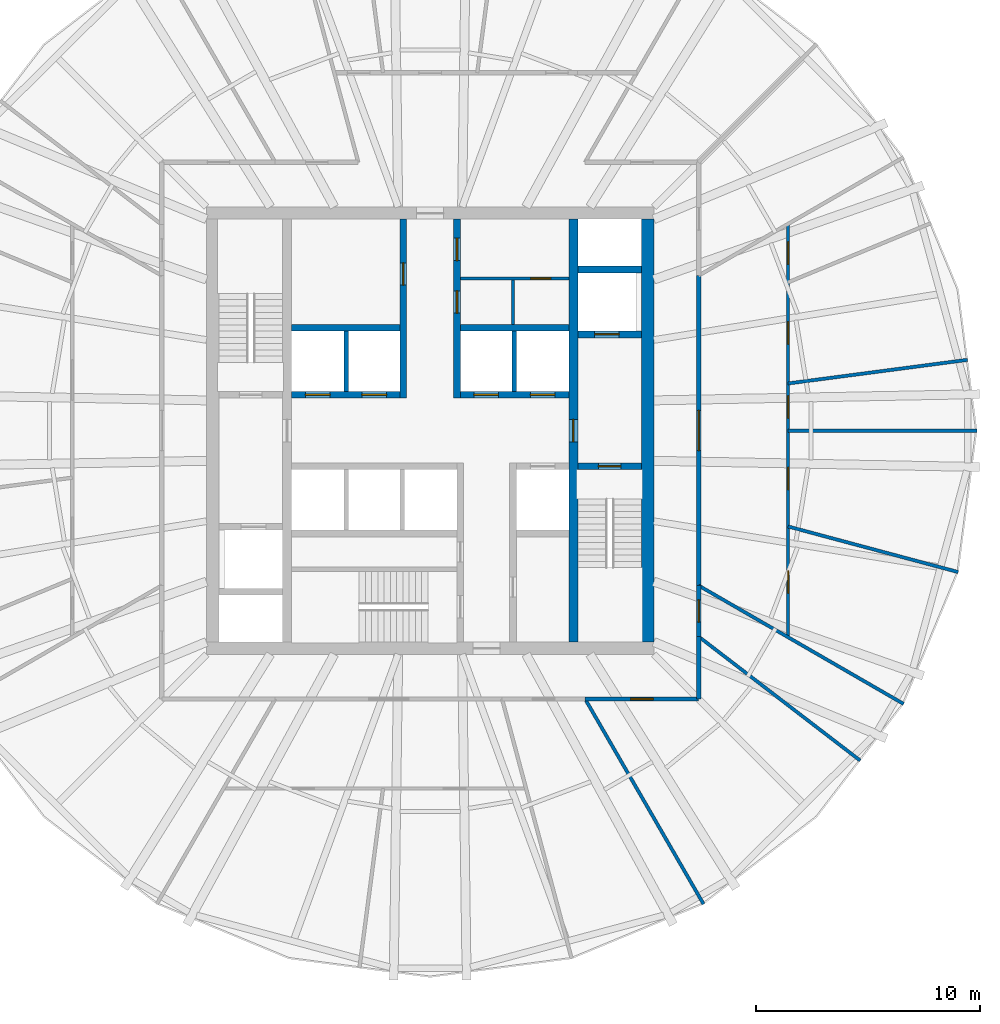
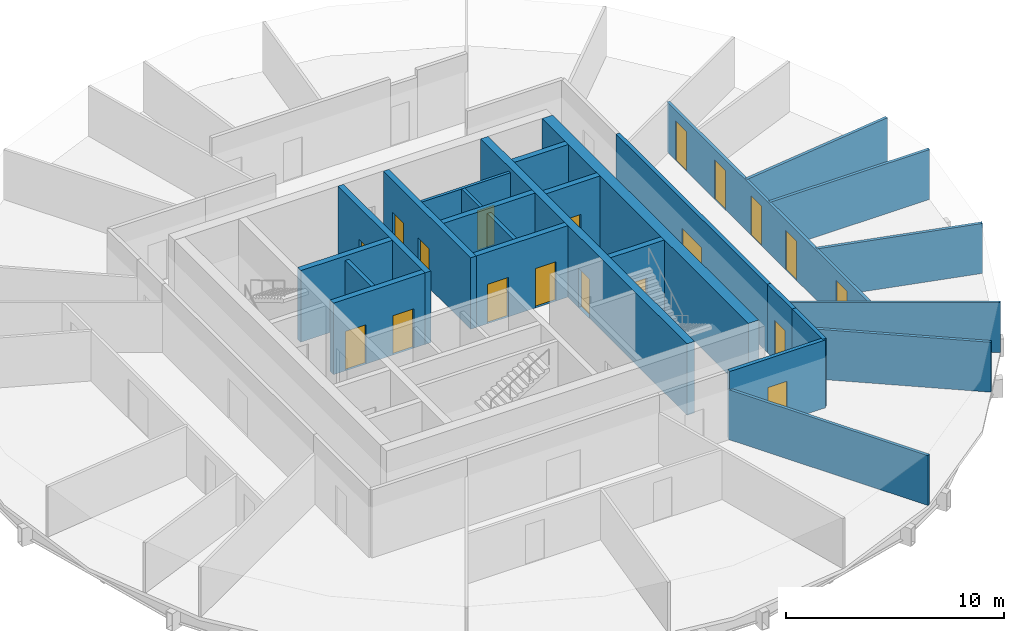
# One storey, part 4 of 6: 26 walls, 19 doors, 19 openings.
"""IFC4 building model written with IfcOpenShell, lengths in metres."""

from ifc_helpers import new_model, si_unit, direction, frame, frame_2d, origin, place, context, subcontext, project, spatial, rectangle, extrude, material, layer, layer_set, type_object, element, fill, save


model = new_model("IFC4")

# Units and contexts
model_context = context("Model", 3, precision=1e-05, world=origin(), true_north=direction((0.0, 1.0)))
body_context = subcontext(model_context, "Body", "Model", "MODEL_VIEW")
ifc_project = project(units=[si_unit("LENGTHUNIT", "METRE"), si_unit("AREAUNIT", "SQUARE_METRE"), si_unit("VOLUMEUNIT", "CUBIC_METRE"), si_unit("PLANEANGLEUNIT", "RADIAN"), si_unit("MASSUNIT", "GRAM", prefix="KILO")], contexts=[model_context])

# Site, building, storey
site_placement = place(None, origin())
site = spatial("IfcSite", under=ifc_project, at=site_placement, CompositionType="ELEMENT")
building_placement = place(site_placement, origin())
building = spatial("IfcBuilding", under=site, at=building_placement, Name="Golbaran Civic Tower", CompositionType="ELEMENT")
storey_placement = place(building_placement, frame((0.0, 0.0, 122.0)))
storey = spatial("IfcBuildingStorey", under=building, at=storey_placement, Name="L29", CompositionType="ELEMENT", Elevation=122.0)

# Wall, opening, door
ifc_material_1 = material(Name="Concrete block", Category="concrete")
ifc_layer_1 = layer(ifc_material_1, 0.14990234375, Name="Concrete block")
ifc_layer_set_1 = layer_set([ifc_layer_1], Name="Concrete block")
wall_type_1 = type_object("IfcWallType", Name="BLOCKWORK PARTITION 150", PredefinedType="PARTITIONING", material=ifc_layer_set_1)
wall_1_placement = place(storey_placement, frame((1.35009765625, 6.800048828125, 0.0), z_axis=(0.0, 0.0, 1.0), x_axis=(1.0, 0.0, 0.0)))
wall_1 = element("IfcWall", 1, at=wall_1_placement, inside=storey, type_object=wall_type_1, Name="Toilet block partition TN1 L29", PredefinedType="PARTITIONING", context=body_context, shape_type="SweptSolid", body=[
    extrude(rectangle(XDim=4.849853515625, YDim=0.14990234375, at=frame_2d((2.4248046875, 0.0))), origin(), (0.0, 0.0, 1.0), 3.75),
])
opening_1_placement = place(wall_1_placement, frame((3.14990234375, 0.0, 0.0)))
opening_1 = element("IfcOpeningElement", 2, at=opening_1_placement, cuts=wall_1, Name="Opening L29.CLN", PredefinedType="OPENING", context=body_context, shape_type="SweptSolid", body=[
    extrude(rectangle(XDim=0.89990234375, YDim=2.199951171875, at=frame_2d((0.449951171875, 1.10009765625))), frame((0.0, 0.0849609375, 0.0), z_axis=(0.0, -1.0, 0.0), x_axis=(1.0, 0.0, 0.0)), (0.0, 0.0, 1.0), 0.169921875),
])
ifc_material_2 = material(Name="Timber door set in steel frame", Category="steel")
door_type_1 = type_object("IfcDoorType", Name="RISER DOOR 900x2200", OperationType="SINGLE_SWING_LEFT", PredefinedType="DOOR", material=ifc_material_2)
door_1_placement = place(opening_1_placement, origin())
door_1 = element("IfcDoor", 3, at=door_1_placement, inside=storey, type_object=door_type_1, Name="Cleaner's Store door", OperationType="SINGLE_SWING_RIGHT", OverallHeight=2.199951171875, OverallWidth=0.89990234375, PredefinedType="DOOR", context=body_context, shape_type="SweptSolid", body=[
    extrude(rectangle(XDim=0.89990234375, YDim=2.199951171875, at=frame_2d((0.449951171875, 1.10009765625))), frame((0.0, 0.02490234375, 0.0), z_axis=(0.0, -1.0, 0.0), x_axis=(1.0, 0.0, 0.0)), (0.0, 0.0, 1.0), 0.050048828125),
])
fill(opening_1, door_1)

# Wall
wall_2_placement = place(storey_placement, frame((3.699951171875, 4.75, 0.0), z_axis=(0.0, 0.0, 1.0), x_axis=(0.0, 1.0, 0.0)))
element("IfcWall", 4, at=wall_2_placement, inside=storey, type_object=wall_type_1, Name="Toilet block partition TN2 L29", PredefinedType="PARTITIONING", context=body_context, shape_type="SweptSolid", body=[
    extrude(rectangle(XDim=1.97509765625, YDim=0.14990234375, at=frame_2d((0.987548828125, 0.0))), origin(), (0.0, 0.0, 1.0), 3.75),
])

# Wall, opening, door
ifc_material_3 = material(Name="Concrete C50/60", Category="concrete")
ifc_layer_2 = layer(ifc_material_3, 0.39990234375, Name="Concrete C50/60")
ifc_layer_set_2 = layer_set([ifc_layer_2], Name="Concrete C50/60")
wall_type_2 = type_object("IfcWallType", Name="CORE WALL CONCRETE 400", PredefinedType="SOLIDWALL", material=ifc_layer_set_2)
wall_3_placement = place(storey_placement, frame((6.39990234375, 9.449951171875, 0.0), z_axis=(0.0, 0.0, 1.0), x_axis=(0.0, -1.0, 0.0)))
wall_3 = element("IfcWall", 5, at=wall_3_placement, inside=storey, type_object=wall_type_2, Name="Core wall IE L29", PredefinedType="SOLIDWALL", context=body_context, shape_type="SweptSolid", body=[
    extrude(rectangle(XDim=18.89990234375, YDim=0.39990234375, at=frame_2d((9.449951171875, 0.0))), origin(), (0.0, 0.0, 1.0), 4.0),
])
opening_2_placement = place(wall_3_placement, frame((8.949951171875, 0.0, 0.0)))
opening_2 = element("IfcOpeningElement", 6, at=opening_2_placement, cuts=wall_3, Name="Opening L29.FL2", PredefinedType="OPENING", context=body_context, shape_type="SweptSolid", body=[
    extrude(rectangle(XDim=1.0, YDim=2.199951171875, at=frame_2d((0.5, 1.10009765625))), frame((0.0, 0.2099609375, 0.0), z_axis=(0.0, -1.0, 0.0), x_axis=(1.0, 0.0, 0.0)), (0.0, 0.0, 1.0), 0.419921875),
])
door_type_2 = type_object("IfcDoorType", Name="STAIR DOOR 1000x2200", OperationType="SINGLE_SWING_LEFT", PredefinedType="DOOR", material=ifc_material_2)
door_2_placement = place(opening_2_placement, origin())
door_2 = element("IfcDoor", 7, at=door_2_placement, inside=storey, type_object=door_type_2, Name="Fire-fighting lobby FL2 door", OperationType="SINGLE_SWING_RIGHT", OverallHeight=2.199951171875, OverallWidth=1.0, PredefinedType="DOOR", context=body_context, shape_type="SweptSolid", body=[
    extrude(rectangle(XDim=1.0, YDim=2.199951171875, at=frame_2d((0.5, 1.10009765625))), frame((0.0, 0.02490234375, 0.0), z_axis=(0.0, -1.0, 0.0), x_axis=(1.0, 0.0, 0.0)), (0.0, 0.0, 1.0), 0.050048828125),
])
fill(opening_2, door_2)

# Wall
ifc_layer_3 = layer(ifc_material_3, 0.550048828125, Name="Concrete C50/60")
ifc_layer_set_3 = layer_set([ifc_layer_3], Name="Concrete C50/60")
wall_type_3 = type_object("IfcWallType", Name="CORE WALL CONCRETE 550", PredefinedType="SOLIDWALL", material=ifc_layer_set_3)
wall_4_placement = place(storey_placement, frame((9.72509765625, -9.449951171875, 0.0), z_axis=(0.0, 0.0, 1.0), x_axis=(0.0, 1.0, 0.0)))
element("IfcWall", 8, at=wall_4_placement, inside=storey, type_object=wall_type_3, Name="Core wall CE L29", PredefinedType="SOLIDWALL", context=body_context, shape_type="SweptSolid", body=[
    extrude(rectangle(XDim=18.89990234375, YDim=0.550048828125, at=frame_2d((9.449951171875, 0.0))), origin(), (0.0, 0.0, 1.0), 4.0),
])

# Wall, opening, door
ifc_material_4 = material(Name="Gypsum board on steel studs, fire-rated", Category="steel")
ifc_layer_4 = layer(ifc_material_4, 0.199951171875, Name="Gypsum board on steel studs, fire-rated")
ifc_layer_set_4 = layer_set([ifc_layer_4], Name="Gypsum board on steel studs, fire-rated")
wall_type_4 = type_object("IfcWallType", Name="CORRIDOR WALL 200", PredefinedType="PARTITIONING", material=ifc_layer_set_4)
wall_5_placement = place(storey_placement, frame((12.0, -6.92822265625, 0.0), z_axis=(0.0, 0.0, 1.0), x_axis=(0.0, 1.0, 0.0)))
wall_5 = element("IfcWall", 9, at=wall_5_placement, inside=storey, type_object=wall_type_4, Name="Corridor wall L29", PredefinedType="PARTITIONING", context=body_context, shape_type="SweptSolid", body=[
    extrude(rectangle(XDim=13.8564453125, YDim=0.199951171875, at=frame_2d((6.92822265625, 0.0))), origin(), (0.0, 0.0, 1.0), 3.800048828125),
])
opening_3_placement = place(wall_5_placement, frame((6.0283203125, 0.0, 0.0)))
opening_3 = element("IfcOpeningElement", 10, at=opening_3_placement, cuts=wall_5, Name="Opening L29.15", PredefinedType="OPENING", context=body_context, shape_type="SweptSolid", body=[
    extrude(rectangle(XDim=1.800048828125, YDim=2.199951171875, at=frame_2d((0.89990234375, 1.10009765625))), frame((0.0, 0.10986328125, 0.0), z_axis=(0.0, -1.0, 0.0), x_axis=(1.0, 0.0, 0.0)), (0.0, 0.0, 1.0), 0.219970703125),
])
door_type_3 = type_object("IfcDoorType", Name="OFFICE DOUBLE DOOR 1800x2200", OperationType="DOUBLE_DOOR_SINGLE_SWING", PredefinedType="DOOR", material=ifc_material_2)
door_3_placement = place(opening_3_placement, origin())
door_3 = element("IfcDoor", 11, at=door_3_placement, inside=storey, type_object=door_type_3, Name="Secretariat door L29", OperationType="DOUBLE_DOOR_SINGLE_SWING", OverallHeight=2.199951171875, OverallWidth=1.800048828125, PredefinedType="DOOR", context=body_context, shape_type="SweptSolid", body=[
    extrude(rectangle(XDim=1.800048828125, YDim=2.199951171875, at=frame_2d((0.89990234375, 1.10009765625))), frame((0.0, 0.02490234375, 0.0), z_axis=(0.0, -1.0, 0.0), x_axis=(1.0, 0.0, 0.0)), (0.0, 0.0, 1.0), 0.050048828125),
])
fill(opening_3, door_3)

wall_6_placement = place(storey_placement, frame((6.92822265625, -12.0, 0.0), z_axis=(0.0, 0.0, 1.0), x_axis=(1.0, 0.0, 0.0)))
wall_6 = element("IfcWall", 12, at=wall_6_placement, inside=storey, type_object=wall_type_4, Name="Corridor wall L29", PredefinedType="PARTITIONING", context=body_context, shape_type="SweptSolid", body=[
    extrude(rectangle(XDim=5.07177734375, YDim=0.199951171875, at=frame_2d((2.535888671875, 0.0))), origin(), (0.0, 0.0, 1.0), 3.800048828125),
])
opening_4_placement = place(wall_6_placement, frame((2.035888671875, 0.0, 0.0)))
opening_4 = element("IfcOpeningElement", 13, at=opening_4_placement, cuts=wall_6, Name="Opening L29.25", PredefinedType="OPENING", context=body_context, shape_type="SweptSolid", body=[
    extrude(rectangle(XDim=1.0, YDim=2.199951171875, at=frame_2d((0.5, 1.10009765625))), frame((0.0, 0.10986328125, 0.0), z_axis=(0.0, -1.0, 0.0), x_axis=(1.0, 0.0, 0.0)), (0.0, 0.0, 1.0), 0.219970703125),
])
door_type_4 = type_object("IfcDoorType", Name="OFFICE DOOR 1000x2200", OperationType="SINGLE_SWING_LEFT", PredefinedType="DOOR", material=ifc_material_2)
door_4_placement = place(opening_4_placement, origin())
door_4 = element("IfcDoor", 14, at=door_4_placement, inside=storey, type_object=door_type_4, Name="Meeting Room door L29", OperationType="SINGLE_SWING_LEFT", OverallHeight=2.199951171875, OverallWidth=1.0, PredefinedType="DOOR", context=body_context, shape_type="SweptSolid", body=[
    extrude(rectangle(XDim=1.0, YDim=2.199951171875, at=frame_2d((0.5, 1.10009765625))), frame((0.0, 0.02490234375, 0.0), z_axis=(0.0, -1.0, 0.0), x_axis=(1.0, 0.0, 0.0)), (0.0, 0.0, 1.0), 0.050048828125),
])
fill(opening_4, door_4)

# Wall
wall_7_placement = place(storey_placement, frame((12.0, -12.0, 0.0), z_axis=(0.0, 0.0, 1.0), x_axis=(0.0, 1.0, 0.0)))
element("IfcWall", 15, at=wall_7_placement, inside=storey, type_object=wall_type_4, Name="Corridor wall L29", PredefinedType="PARTITIONING", context=body_context, shape_type="SweptSolid", body=[
    extrude(rectangle(XDim=2.7919921875, YDim=0.199951171875, at=frame_2d((1.39599609375, 0.0))), origin(), (0.0, 0.0, 1.0), 3.800048828125),
])

# Wall, opening, door
wall_8_placement = place(storey_placement, frame((12.0, -9.2080078125, 0.0), z_axis=(0.0, 0.0, 1.0), x_axis=(0.0, 1.0, 0.0)))
wall_8 = element("IfcWall", 16, at=wall_8_placement, inside=storey, type_object=wall_type_4, Name="Corridor wall L29", PredefinedType="PARTITIONING", context=body_context, shape_type="SweptSolid", body=[
    extrude(rectangle(XDim=2.27978515625, YDim=0.199951171875, at=frame_2d((1.139892578125, 0.0))), origin(), (0.0, 0.0, 1.0), 3.800048828125),
])
opening_5_placement = place(wall_8_placement, frame((0.639892578125, 0.0, 0.0)))
opening_5 = element("IfcOpeningElement", 17, at=opening_5_placement, cuts=wall_8, Name="Opening L29.26", PredefinedType="OPENING", context=body_context, shape_type="SweptSolid", body=[
    extrude(rectangle(XDim=1.0, YDim=2.199951171875, at=frame_2d((0.5, 1.10009765625))), frame((0.0, 0.10986328125, 0.0), z_axis=(0.0, -1.0, 0.0), x_axis=(1.0, 0.0, 0.0)), (0.0, 0.0, 1.0), 0.219970703125),
])
door_5_placement = place(opening_5_placement, origin())
door_5 = element("IfcDoor", 18, at=door_5_placement, inside=storey, type_object=door_type_4, Name="Print and Copy Room door L29", OperationType="SINGLE_SWING_LEFT", OverallHeight=2.199951171875, OverallWidth=1.0, PredefinedType="DOOR", context=body_context, shape_type="SweptSolid", body=[
    extrude(rectangle(XDim=1.0, YDim=2.199951171875, at=frame_2d((0.5, 1.10009765625))), frame((0.0, 0.02490234375, 0.0), z_axis=(0.0, -1.0, 0.0), x_axis=(1.0, 0.0, 0.0)), (0.0, 0.0, 1.0), 0.050048828125),
])
fill(opening_5, door_5)

# Walls
ifc_layer_5 = layer(ifc_material_1, 0.199951171875, Name="Concrete block")
ifc_layer_set_5 = layer_set([ifc_layer_5], Name="Concrete block")
wall_type_5 = type_object("IfcWallType", Name="LIFT SEPARATOR WALL 200", PredefinedType="SOLIDWALL", material=ifc_layer_set_5)
for number, where, z_axis, x_axis, name in (
    (19, (-3.75, 1.75, 0.0), (0.0, 0.0, 1.0), (0.0, 1.0, 0.0), "Core partition SNW L29"),
    (20, (3.75, 1.75, 0.0), (0.0, 0.0, 1.0), (0.0, 1.0, 0.0), "Core partition SNE L29"),
):
    element("IfcWall", number, at=place(storey_placement, frame(where, z_axis=z_axis, x_axis=x_axis)), inside=storey, type_object=wall_type_5, Name=name, PredefinedType="SOLIDWALL", context=body_context, shape_type="SweptSolid", body=[
        extrude(rectangle(XDim=2.699951171875, YDim=0.199951171875, at=frame_2d((1.35009765625, 0.0))), origin(), (0.0, 0.0, 1.0), 3.75),
    ])
ifc_material_5 = material(Name="Gypsum board on steel studs", Category="steel")
ifc_layer_6 = layer(ifc_material_5, 0.14990234375, Name="Gypsum board on steel studs")
ifc_layer_set_6 = layer_set([ifc_layer_6], Name="Gypsum board on steel studs")
wall_type_6 = type_object("IfcWallType", Name="OFFICE PARTITION 150", PredefinedType="PARTITIONING", material=ifc_layer_set_6)
for number, where, z_axis, x_axis, name in (
    (21, (12.0, -6.92822265625, 0.0), (0.0, 0.0, 1.0), (0.866023526577, -0.500003251404, 0.0), "Partition 330 L29"),
    (22, (6.92822265625, -12.0, 0.0), (0.0, 0.0, 1.0), (0.500003251404, -0.866023526577, 0.0), "Partition 300 L29"),
):
    element("IfcWall", number, at=place(storey_placement, frame(where, z_axis=z_axis, x_axis=x_axis)), inside=storey, type_object=wall_type_6, Name=name, PredefinedType="PARTITIONING", context=body_context, shape_type="SweptSolid", body=[
        extrude(rectangle(XDim=10.5869140625, YDim=0.14990234375, at=frame_2d((5.29345703125, 0.0))), origin(), (0.0, 0.0, 1.0), 2.7900390625),
    ])
wall_9_placement = place(storey_placement, frame((12.0, -9.2080078125, 0.0), z_axis=(0.0, 0.0, 1.0), x_axis=(0.793367728965, -0.608742676865, 0.0)))
element("IfcWall", 23, at=wall_9_placement, inside=storey, type_object=wall_type_6, Name="Partition 322.5 L29", PredefinedType="PARTITIONING", context=body_context, shape_type="SweptSolid", body=[
    extrude(rectangle(XDim=9.1083984375, YDim=0.14990234375, at=frame_2d((4.55419921875, 0.0))), origin(), (0.0, 0.0, 1.0), 2.7900390625),
])

# Wall, openings, doors
wall_10_placement = place(storey_placement, frame((16.0, -9.237548828125, 0.0), z_axis=(0.0, 0.0, 1.0), x_axis=(0.0, 1.0, 0.0)))
wall_10 = element("IfcWall", 24, at=wall_10_placement, inside=storey, type_object=wall_type_6, Name="Suite partition L29", PredefinedType="PARTITIONING", context=body_context, shape_type="SweptSolid", body=[
    extrude(rectangle(XDim=18.47509765625, YDim=0.14990234375, at=frame_2d((9.237548828125, 0.0))), origin(), (0.0, 0.0, 1.0), 2.7900390625),
])
opening_6_placement = place(wall_10_placement, frame((1.97509765625, 0.0, 0.0)))
opening_6 = element("IfcOpeningElement", 25, at=opening_6_placement, cuts=wall_10, Name="Opening L29.01", PredefinedType="OPENING", context=body_context, shape_type="SweptSolid", body=[
    extrude(rectangle(XDim=1.0, YDim=2.199951171875, at=frame_2d((0.5, 1.10009765625))), frame((0.0, 0.0849609375, 0.0), z_axis=(0.0, -1.0, 0.0), x_axis=(1.0, 0.0, 0.0)), (0.0, 0.0, 1.0), 0.169921875),
])
opening_7_placement = place(wall_10_placement, frame((6.593994140625, 0.0, 0.0)))
opening_7 = element("IfcOpeningElement", 26, at=opening_7_placement, cuts=wall_10, Name="Opening L29.02", PredefinedType="OPENING", context=body_context, shape_type="SweptSolid", body=[
    extrude(rectangle(XDim=1.0, YDim=2.199951171875, at=frame_2d((0.5, 1.10009765625))), frame((0.0, 0.0849609375, 0.0), z_axis=(0.0, -1.0, 0.0), x_axis=(1.0, 0.0, 0.0)), (0.0, 0.0, 1.0), 0.169921875),
])
opening_8_placement = place(wall_10_placement, frame((9.790771484375, 0.0, 0.0)))
opening_8 = element("IfcOpeningElement", 27, at=opening_8_placement, cuts=wall_10, Name="Opening L29.03", PredefinedType="OPENING", context=body_context, shape_type="SweptSolid", body=[
    extrude(rectangle(XDim=1.0, YDim=2.199951171875, at=frame_2d((0.5, 1.10009765625))), frame((0.0, 0.0849609375, 0.0), z_axis=(0.0, -1.0, 0.0), x_axis=(1.0, 0.0, 0.0)), (0.0, 0.0, 1.0), 0.169921875),
])
opening_9_placement = place(wall_10_placement, frame((13.1044921875, 0.0, 0.0)))
opening_9 = element("IfcOpeningElement", 28, at=opening_9_placement, cuts=wall_10, Name="Opening L29.04", PredefinedType="OPENING", context=body_context, shape_type="SweptSolid", body=[
    extrude(rectangle(XDim=1.0, YDim=2.199951171875, at=frame_2d((0.5, 1.10009765625))), frame((0.0, 0.0849609375, 0.0), z_axis=(0.0, -1.0, 0.0), x_axis=(1.0, 0.0, 0.0)), (0.0, 0.0, 1.0), 0.169921875),
])
opening_10_placement = place(wall_10_placement, frame((16.670166015625, 0.0, 0.0)))
opening_10 = element("IfcOpeningElement", 29, at=opening_10_placement, cuts=wall_10, Name="Opening L29.05", PredefinedType="OPENING", context=body_context, shape_type="SweptSolid", body=[
    extrude(rectangle(XDim=1.0, YDim=2.199951171875, at=frame_2d((0.5, 1.10009765625))), frame((0.0, 0.0849609375, 0.0), z_axis=(0.0, -1.0, 0.0), x_axis=(1.0, 0.0, 0.0)), (0.0, 0.0, 1.0), 0.169921875),
])
door_6_placement = place(opening_6_placement, origin())
door_6 = element("IfcDoor", 30, at=door_6_placement, inside=storey, type_object=door_type_4, Name="Director's Office door L29", OperationType="SINGLE_SWING_LEFT", OverallHeight=2.199951171875, OverallWidth=1.0, PredefinedType="DOOR", context=body_context, shape_type="SweptSolid", body=[
    extrude(rectangle(XDim=1.0, YDim=2.199951171875, at=frame_2d((0.5, 1.10009765625))), frame((0.0, 0.02490234375, 0.0), z_axis=(0.0, -1.0, 0.0), x_axis=(1.0, 0.0, 0.0)), (0.0, 0.0, 1.0), 0.050048828125),
])
fill(opening_6, door_6)
door_7_placement = place(opening_7_placement, origin())
door_7 = element("IfcDoor", 31, at=door_7_placement, inside=storey, type_object=door_type_4, Name="Office door L29", OperationType="SINGLE_SWING_LEFT", OverallHeight=2.199951171875, OverallWidth=1.0, PredefinedType="DOOR", context=body_context, shape_type="SweptSolid", body=[
    extrude(rectangle(XDim=1.0, YDim=2.199951171875, at=frame_2d((0.5, 1.10009765625))), frame((0.0, 0.02490234375, 0.0), z_axis=(0.0, -1.0, 0.0), x_axis=(1.0, 0.0, 0.0)), (0.0, 0.0, 1.0), 0.050048828125),
])
fill(opening_7, door_7)
door_8_placement = place(opening_8_placement, origin())
door_8 = element("IfcDoor", 32, at=door_8_placement, inside=storey, type_object=door_type_4, Name="Director's Office door L29", OperationType="SINGLE_SWING_RIGHT", OverallHeight=2.199951171875, OverallWidth=1.0, PredefinedType="DOOR", context=body_context, shape_type="SweptSolid", body=[
    extrude(rectangle(XDim=1.0, YDim=2.199951171875, at=frame_2d((0.5, 1.10009765625))), frame((0.0, 0.02490234375, 0.0), z_axis=(0.0, -1.0, 0.0), x_axis=(1.0, 0.0, 0.0)), (0.0, 0.0, 1.0), 0.050048828125),
])
fill(opening_8, door_8)
door_9_placement = place(opening_9_placement, origin())
door_9 = element("IfcDoor", 33, at=door_9_placement, inside=storey, type_object=door_type_4, Name="Director's Office door L29", OperationType="SINGLE_SWING_RIGHT", OverallHeight=2.199951171875, OverallWidth=1.0, PredefinedType="DOOR", context=body_context, shape_type="SweptSolid", body=[
    extrude(rectangle(XDim=1.0, YDim=2.199951171875, at=frame_2d((0.5, 1.10009765625))), frame((0.0, 0.02490234375, 0.0), z_axis=(0.0, -1.0, 0.0), x_axis=(1.0, 0.0, 0.0)), (0.0, 0.0, 1.0), 0.050048828125),
])
fill(opening_9, door_9)
door_10_placement = place(opening_10_placement, origin())
door_10 = element("IfcDoor", 34, at=door_10_placement, inside=storey, type_object=door_type_4, Name="Office door L29", OperationType="SINGLE_SWING_RIGHT", OverallHeight=2.199951171875, OverallWidth=1.0, PredefinedType="DOOR", context=body_context, shape_type="SweptSolid", body=[
    extrude(rectangle(XDim=1.0, YDim=2.199951171875, at=frame_2d((0.5, 1.10009765625))), frame((0.0, 0.02490234375, 0.0), z_axis=(0.0, -1.0, 0.0), x_axis=(1.0, 0.0, 0.0)), (0.0, 0.0, 1.0), 0.050048828125),
])
fill(opening_10, door_10)

# Walls
wall_11_placement = place(storey_placement, frame((16.0, -4.287109375, 0.0), z_axis=(0.0, 0.0, 1.0), x_axis=(0.965922047545, -0.258833147156, 0.0)))
element("IfcWall", 35, at=wall_11_placement, inside=storey, type_object=wall_type_6, Name="Partition 345 L29", PredefinedType="PARTITIONING", context=body_context, shape_type="SweptSolid", body=[
    extrude(rectangle(XDim=7.87890625, YDim=0.14990234375, at=frame_2d((3.939453125, 0.0))), origin(), (0.0, 0.0, 1.0), 2.7900390625),
])
wall_12_placement = place(storey_placement, frame((16.0, 0.0, 0.0), z_axis=(0.0, 0.0, 1.0), x_axis=(1.0, 0.0, 0.0)))
element("IfcWall", 36, at=wall_12_placement, inside=storey, type_object=wall_type_6, Name="Partition 0 L29", PredefinedType="PARTITIONING", context=body_context, shape_type="SweptSolid", body=[
    extrude(rectangle(XDim=8.443115234375, YDim=0.14990234375, at=frame_2d((4.2216796875, 0.0))), origin(), (0.0, 0.0, 1.0), 2.7900390625),
])
wall_13_placement = place(storey_placement, frame((16.0, 2.1064453125, 0.0), z_axis=(0.0, 0.0, 1.0), x_axis=(0.99144669858, 0.130512236494, 0.0)))
element("IfcWall", 37, at=wall_13_placement, inside=storey, type_object=wall_type_6, Name="Partition 7.5 L29", PredefinedType="PARTITIONING", context=body_context, shape_type="SweptSolid", body=[
    extrude(rectangle(XDim=8.09619140625, YDim=0.14990234375, at=frame_2d((4.048095703125, 0.0))), origin(), (0.0, 0.0, 1.0), 2.7900390625),
])

# Wall, openings, doors
ifc_layer_7 = layer(ifc_material_3, 0.300048828125, Name="Concrete C50/60")
ifc_layer_set_7 = layer_set([ifc_layer_7], Name="Concrete C50/60")
wall_type_7 = type_object("IfcWallType", Name="SHAFT WALL CONCRETE 300", PredefinedType="SOLIDWALL", material=ifc_layer_set_7)
wall_14_placement = place(storey_placement, frame((-6.199951171875, 1.60009765625, 0.0), z_axis=(0.0, 0.0, 1.0), x_axis=(1.0, 0.0, 0.0)))
wall_14 = element("IfcWall", 38, at=wall_14_placement, inside=storey, type_object=wall_type_7, Name="Core wall FNW L29", PredefinedType="SOLIDWALL", context=body_context, shape_type="SweptSolid", body=[
    extrude(rectangle(XDim=4.849853515625, YDim=0.300048828125, at=frame_2d((2.4248046875, 0.0))), origin(), (0.0, 0.0, 1.0), 4.0),
])
opening_11_placement = place(wall_14_placement, frame((0.625, 0.0, 0.0)))
opening_11 = element("IfcOpeningElement", 39, at=opening_11_placement, cuts=wall_14, Name="Opening L29.LD-Z1M", PredefinedType="OPENING", context=body_context, shape_type="SweptSolid", body=[
    extrude(rectangle(XDim=1.10009765625, YDim=2.199951171875, at=frame_2d((0.550048828125, 1.10009765625))), frame((0.0, 0.159912109375, 0.0), z_axis=(0.0, -1.0, 0.0), x_axis=(1.0, 0.0, 0.0)), (0.0, 0.0, 1.0), 0.320068359375),
])
opening_12_placement = place(wall_14_placement, frame((3.14990234375, 0.0, 0.0)))
opening_12 = element("IfcOpeningElement", 40, at=opening_12_placement, cuts=wall_14, Name="Opening L29.LD-Z2M", PredefinedType="OPENING", context=body_context, shape_type="SweptSolid", body=[
    extrude(rectangle(XDim=1.10009765625, YDim=2.199951171875, at=frame_2d((0.550048828125, 1.10009765625))), frame((0.0, 0.159912109375, 0.0), z_axis=(0.0, -1.0, 0.0), x_axis=(1.0, 0.0, 0.0)), (0.0, 0.0, 1.0), 0.320068359375),
])
ifc_material_6 = material(Name="Stainless steel", Category="steel")
door_type_5 = type_object("IfcDoorType", Name="LIFT LANDING DOOR 1100x2200", OperationType="SLIDING_TO_LEFT", PredefinedType="DOOR", material=ifc_material_6)
door_11_placement = place(opening_11_placement, origin())
door_11 = element("IfcDoor", 41, at=door_11_placement, inside=storey, type_object=door_type_5, Name="Lift landing door Z1M", OperationType="SLIDING_TO_LEFT", OverallHeight=2.199951171875, OverallWidth=1.10009765625, PredefinedType="DOOR", context=body_context, shape_type="SweptSolid", body=[
    extrude(rectangle(XDim=1.10009765625, YDim=2.199951171875, at=frame_2d((0.550048828125, 1.10009765625))), frame((0.0, 0.02490234375, 0.0), z_axis=(0.0, -1.0, 0.0), x_axis=(1.0, 0.0, 0.0)), (0.0, 0.0, 1.0), 0.050048828125),
])
fill(opening_11, door_11)
door_12_placement = place(opening_12_placement, origin())
door_12 = element("IfcDoor", 42, at=door_12_placement, inside=storey, type_object=door_type_5, Name="Lift landing door Z2M", OperationType="SLIDING_TO_LEFT", OverallHeight=2.199951171875, OverallWidth=1.10009765625, PredefinedType="DOOR", context=body_context, shape_type="SweptSolid", body=[
    extrude(rectangle(XDim=1.10009765625, YDim=2.199951171875, at=frame_2d((0.550048828125, 1.10009765625))), frame((0.0, 0.02490234375, 0.0), z_axis=(0.0, -1.0, 0.0), x_axis=(1.0, 0.0, 0.0)), (0.0, 0.0, 1.0), 0.050048828125),
])
fill(opening_12, door_12)

wall_15_placement = place(storey_placement, frame((1.35009765625, 1.60009765625, 0.0), z_axis=(0.0, 0.0, 1.0), x_axis=(1.0, 0.0, 0.0)))
wall_15 = element("IfcWall", 43, at=wall_15_placement, inside=storey, type_object=wall_type_7, Name="Core wall FNE L29", PredefinedType="SOLIDWALL", context=body_context, shape_type="SweptSolid", body=[
    extrude(rectangle(XDim=4.849853515625, YDim=0.300048828125, at=frame_2d((2.4248046875, 0.0))), origin(), (0.0, 0.0, 1.0), 4.0),
])
opening_13_placement = place(wall_15_placement, frame((0.60009765625, 0.0, 0.0)))
opening_13 = element("IfcOpeningElement", 44, at=opening_13_placement, cuts=wall_15, Name="Opening L29.LD-Z3M", PredefinedType="OPENING", context=body_context, shape_type="SweptSolid", body=[
    extrude(rectangle(XDim=1.10009765625, YDim=2.199951171875, at=frame_2d((0.550048828125, 1.10009765625))), frame((0.0, 0.159912109375, 0.0), z_axis=(0.0, -1.0, 0.0), x_axis=(1.0, 0.0, 0.0)), (0.0, 0.0, 1.0), 0.320068359375),
])
opening_14_placement = place(wall_15_placement, frame((3.125, 0.0, 0.0)))
opening_14 = element("IfcOpeningElement", 45, at=opening_14_placement, cuts=wall_15, Name="Opening L29.LD-Z4M", PredefinedType="OPENING", context=body_context, shape_type="SweptSolid", body=[
    extrude(rectangle(XDim=1.10009765625, YDim=2.199951171875, at=frame_2d((0.550048828125, 1.10009765625))), frame((0.0, 0.159912109375, 0.0), z_axis=(0.0, -1.0, 0.0), x_axis=(1.0, 0.0, 0.0)), (0.0, 0.0, 1.0), 0.320068359375),
])
door_13_placement = place(opening_13_placement, origin())
door_13 = element("IfcDoor", 46, at=door_13_placement, inside=storey, type_object=door_type_5, Name="Lift landing door Z3M", OperationType="SLIDING_TO_LEFT", OverallHeight=2.199951171875, OverallWidth=1.10009765625, PredefinedType="DOOR", context=body_context, shape_type="SweptSolid", body=[
    extrude(rectangle(XDim=1.10009765625, YDim=2.199951171875, at=frame_2d((0.550048828125, 1.10009765625))), frame((0.0, 0.02490234375, 0.0), z_axis=(0.0, -1.0, 0.0), x_axis=(1.0, 0.0, 0.0)), (0.0, 0.0, 1.0), 0.050048828125),
])
fill(opening_13, door_13)
door_14_placement = place(opening_14_placement, origin())
door_14 = element("IfcDoor", 47, at=door_14_placement, inside=storey, type_object=door_type_5, Name="Lift landing door Z4M", OperationType="SLIDING_TO_LEFT", OverallHeight=2.199951171875, OverallWidth=1.10009765625, PredefinedType="DOOR", context=body_context, shape_type="SweptSolid", body=[
    extrude(rectangle(XDim=1.10009765625, YDim=2.199951171875, at=frame_2d((0.550048828125, 1.10009765625))), frame((0.0, 0.02490234375, 0.0), z_axis=(0.0, -1.0, 0.0), x_axis=(1.0, 0.0, 0.0)), (0.0, 0.0, 1.0), 0.050048828125),
])
fill(opening_14, door_14)

# Walls
for number, where, z_axis, x_axis, name in (
    (48, (-6.199951171875, 4.60009765625, 0.0), (0.0, 0.0, 1.0), (1.0, 0.0, 0.0), "Core wall BNW L29"),
    (49, (1.35009765625, 4.60009765625, 0.0), (0.0, 0.0, 1.0), (1.0, 0.0, 0.0), "Core wall BNE L29"),
):
    element("IfcWall", number, at=place(storey_placement, frame(where, z_axis=z_axis, x_axis=x_axis)), inside=storey, type_object=wall_type_7, Name=name, PredefinedType="SOLIDWALL", context=body_context, shape_type="SweptSolid", body=[
        extrude(rectangle(XDim=4.849853515625, YDim=0.300048828125, at=frame_2d((2.4248046875, 0.0))), origin(), (0.0, 0.0, 1.0), 4.0),
    ])

# Wall, opening, door
wall_16_placement = place(storey_placement, frame((-1.199951171875, 1.449951171875, 0.0), z_axis=(0.0, 0.0, 1.0), x_axis=(0.0, 1.0, 0.0)))
wall_16 = element("IfcWall", 50, at=wall_16_placement, inside=storey, type_object=wall_type_7, Name="Core wall PNW L29", PredefinedType="SOLIDWALL", context=body_context, shape_type="SweptSolid", body=[
    extrude(rectangle(XDim=8.0, YDim=0.300048828125, at=frame_2d((4.0, 0.0))), origin(), (0.0, 0.0, 1.0), 4.0),
])
opening_15_placement = place(wall_16_placement, frame((5.050048828125, 0.0, 0.0)))
opening_15 = element("IfcOpeningElement", 51, at=opening_15_placement, cuts=wall_16, Name="Opening L29.WCM", PredefinedType="OPENING", context=body_context, shape_type="SweptSolid", body=[
    extrude(rectangle(XDim=1.0, YDim=2.199951171875, at=frame_2d((0.5, 1.10009765625))), frame((0.0, 0.159912109375, 0.0), z_axis=(0.0, -1.0, 0.0), x_axis=(1.0, 0.0, 0.0)), (0.0, 0.0, 1.0), 0.320068359375),
])
door_type_6 = type_object("IfcDoorType", Name="TOILET DOOR 1000x2200", OperationType="SINGLE_SWING_LEFT", PredefinedType="DOOR", material=ifc_material_2)
door_15_placement = place(opening_15_placement, origin())
door_15 = element("IfcDoor", 52, at=door_15_placement, inside=storey, type_object=door_type_6, Name="North-west toilet block door", OperationType="SINGLE_SWING_RIGHT", OverallHeight=2.199951171875, OverallWidth=1.0, PredefinedType="DOOR", context=body_context, shape_type="SweptSolid", body=[
    extrude(rectangle(XDim=1.0, YDim=2.199951171875, at=frame_2d((0.5, 1.10009765625))), frame((0.0, 0.02490234375, 0.0), z_axis=(0.0, -1.0, 0.0), x_axis=(1.0, 0.0, 0.0)), (0.0, 0.0, 1.0), 0.050048828125),
])
fill(opening_15, door_15)

# Wall, openings, doors
wall_17_placement = place(storey_placement, frame((1.199951171875, 1.449951171875, 0.0), z_axis=(0.0, 0.0, 1.0), x_axis=(0.0, 1.0, 0.0)))
wall_17 = element("IfcWall", 53, at=wall_17_placement, inside=storey, type_object=wall_type_7, Name="Core wall PNE L29", PredefinedType="SOLIDWALL", context=body_context, shape_type="SweptSolid", body=[
    extrude(rectangle(XDim=8.0, YDim=0.300048828125, at=frame_2d((4.0, 0.0))), origin(), (0.0, 0.0, 1.0), 4.0),
])
opening_16_placement = place(wall_17_placement, frame((3.800048828125, 0.0, 0.0)))
opening_16 = element("IfcOpeningElement", 54, at=opening_16_placement, cuts=wall_17, Name="Opening L29.WCA", PredefinedType="OPENING", context=body_context, shape_type="SweptSolid", body=[
    extrude(rectangle(XDim=1.0, YDim=2.199951171875, at=frame_2d((0.5, 1.10009765625))), frame((0.0, 0.159912109375, 0.0), z_axis=(0.0, -1.0, 0.0), x_axis=(1.0, 0.0, 0.0)), (0.0, 0.0, 1.0), 0.320068359375),
])
opening_17_placement = place(wall_17_placement, frame((6.14990234375, 0.0, 0.0)))
opening_17 = element("IfcOpeningElement", 55, at=opening_17_placement, cuts=wall_17, Name="Opening L29.WCF", PredefinedType="OPENING", context=body_context, shape_type="SweptSolid", body=[
    extrude(rectangle(XDim=1.0, YDim=2.199951171875, at=frame_2d((0.5, 1.10009765625))), frame((0.0, 0.159912109375, 0.0), z_axis=(0.0, -1.0, 0.0), x_axis=(1.0, 0.0, 0.0)), (0.0, 0.0, 1.0), 0.320068359375),
])
door_16_placement = place(opening_16_placement, origin())
door_16 = element("IfcDoor", 56, at=door_16_placement, inside=storey, type_object=door_type_6, Name="Accessible WC door", OperationType="SINGLE_SWING_RIGHT", OverallHeight=2.199951171875, OverallWidth=1.0, PredefinedType="DOOR", context=body_context, shape_type="SweptSolid", body=[
    extrude(rectangle(XDim=1.0, YDim=2.199951171875, at=frame_2d((0.5, 1.10009765625))), frame((0.0, 0.02490234375, 0.0), z_axis=(0.0, -1.0, 0.0), x_axis=(1.0, 0.0, 0.0)), (0.0, 0.0, 1.0), 0.050048828125),
])
fill(opening_16, door_16)
door_17_placement = place(opening_17_placement, origin())
door_17 = element("IfcDoor", 57, at=door_17_placement, inside=storey, type_object=door_type_6, Name="North-east toilet block door", OperationType="SINGLE_SWING_RIGHT", OverallHeight=2.199951171875, OverallWidth=1.0, PredefinedType="DOOR", context=body_context, shape_type="SweptSolid", body=[
    extrude(rectangle(XDim=1.0, YDim=2.199951171875, at=frame_2d((0.5, 1.10009765625))), frame((0.0, 0.02490234375, 0.0), z_axis=(0.0, -1.0, 0.0), x_axis=(1.0, 0.0, 0.0)), (0.0, 0.0, 1.0), 0.050048828125),
])
fill(opening_17, door_17)

# Wall, opening, door
wall_18_placement = place(storey_placement, frame((6.60009765625, -1.60009765625, 0.0), z_axis=(0.0, 0.0, 1.0), x_axis=(1.0, 0.0, 0.0)))
wall_18 = element("IfcWall", 58, at=wall_18_placement, inside=storey, type_object=wall_type_7, Name="Core wall XE1 L29", PredefinedType="SOLIDWALL", context=body_context, shape_type="SweptSolid", body=[
    extrude(rectangle(XDim=2.849853515625, YDim=0.300048828125, at=frame_2d((1.4248046875, 0.0))), origin(), (0.0, 0.0, 1.0), 4.0),
])
opening_18_placement = place(wall_18_placement, frame((0.925048828125, 0.0, 0.0)))
opening_18 = element("IfcOpeningElement", 59, at=opening_18_placement, cuts=wall_18, Name="Opening L29.S2", PredefinedType="OPENING", context=body_context, shape_type="SweptSolid", body=[
    extrude(rectangle(XDim=1.0, YDim=2.199951171875, at=frame_2d((0.5, 1.10009765625))), frame((0.0, 0.159912109375, 0.0), z_axis=(0.0, -1.0, 0.0), x_axis=(1.0, 0.0, 0.0)), (0.0, 0.0, 1.0), 0.320068359375),
])
door_18_placement = place(opening_18_placement, origin())
door_18 = element("IfcDoor", 60, at=door_18_placement, inside=storey, type_object=door_type_2, Name="Stair S2 door", OperationType="SINGLE_SWING_LEFT", OverallHeight=2.199951171875, OverallWidth=1.0, PredefinedType="DOOR", context=body_context, shape_type="SweptSolid", body=[
    extrude(rectangle(XDim=1.0, YDim=2.199951171875, at=frame_2d((0.5, 1.10009765625))), frame((0.0, 0.02490234375, 0.0), z_axis=(0.0, -1.0, 0.0), x_axis=(1.0, 0.0, 0.0)), (0.0, 0.0, 1.0), 0.050048828125),
])
fill(opening_18, door_18)

wall_19_placement = place(storey_placement, frame((6.60009765625, 4.300048828125, 0.0), z_axis=(0.0, 0.0, 1.0), x_axis=(1.0, 0.0, 0.0)))
wall_19 = element("IfcWall", 61, at=wall_19_placement, inside=storey, type_object=wall_type_7, Name="Core wall XE2 L29", PredefinedType="SOLIDWALL", context=body_context, shape_type="SweptSolid", body=[
    extrude(rectangle(XDim=2.849853515625, YDim=0.300048828125, at=frame_2d((1.4248046875, 0.0))), origin(), (0.0, 0.0, 1.0), 4.0),
])
opening_19_placement = place(wall_19_placement, frame((0.75, 0.0, 0.0)))
opening_19 = element("IfcOpeningElement", 62, at=opening_19_placement, cuts=wall_19, Name="Opening L29.LD-F2", PredefinedType="OPENING", context=body_context, shape_type="SweptSolid", body=[
    extrude(rectangle(XDim=1.10009765625, YDim=2.199951171875, at=frame_2d((0.550048828125, 1.10009765625))), frame((0.0, 0.159912109375, 0.0), z_axis=(0.0, -1.0, 0.0), x_axis=(1.0, 0.0, 0.0)), (0.0, 0.0, 1.0), 0.320068359375),
])
door_19_placement = place(opening_19_placement, origin())
door_19 = element("IfcDoor", 63, at=door_19_placement, inside=storey, type_object=door_type_5, Name="Lift landing door F2", OperationType="SLIDING_TO_LEFT", OverallHeight=2.199951171875, OverallWidth=1.10009765625, PredefinedType="DOOR", context=body_context, shape_type="SweptSolid", body=[
    extrude(rectangle(XDim=1.10009765625, YDim=2.199951171875, at=frame_2d((0.550048828125, 1.10009765625))), frame((0.0, 0.02490234375, 0.0), z_axis=(0.0, -1.0, 0.0), x_axis=(1.0, 0.0, 0.0)), (0.0, 0.0, 1.0), 0.050048828125),
])
fill(opening_19, door_19)

# Wall
wall_20_placement = place(storey_placement, frame((6.60009765625, 7.199951171875, 0.0), z_axis=(0.0, 0.0, 1.0), x_axis=(1.0, 0.0, 0.0)))
element("IfcWall", 64, at=wall_20_placement, inside=storey, type_object=wall_type_7, Name="Core wall XE3 L29", PredefinedType="SOLIDWALL", context=body_context, shape_type="SweptSolid", body=[
    extrude(rectangle(XDim=2.849853515625, YDim=0.300048828125, at=frame_2d((1.4248046875, 0.0))), origin(), (0.0, 0.0, 1.0), 4.0),
])

save(model, "model.ifc")
